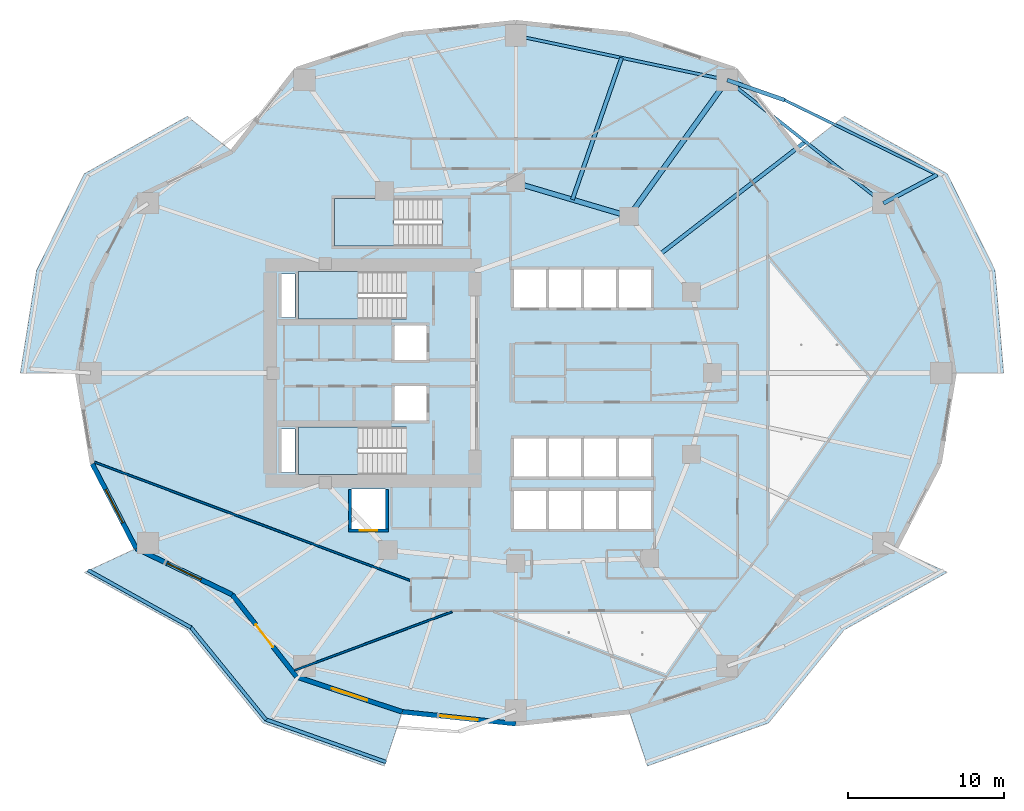
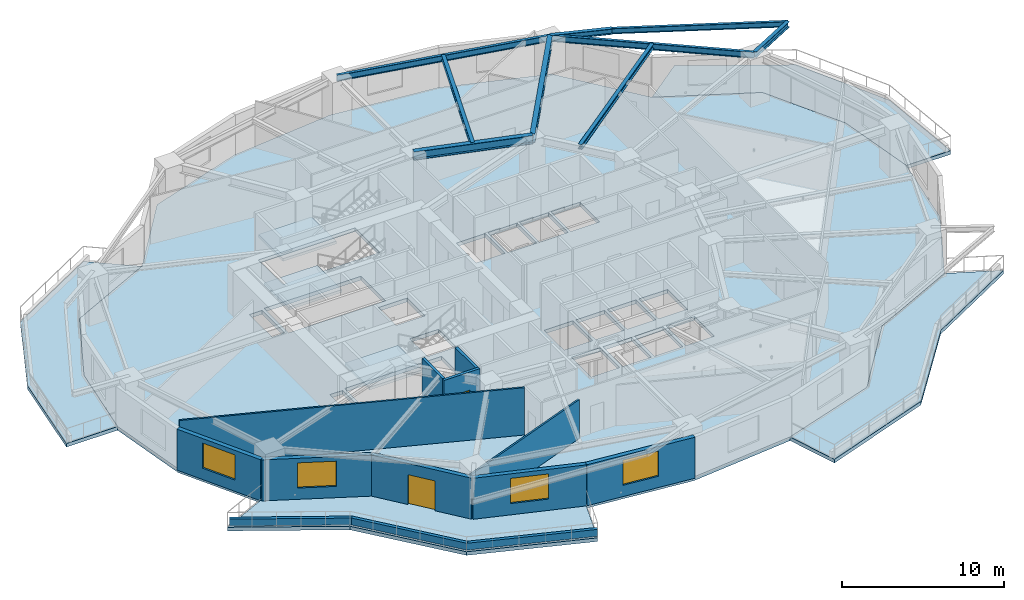
# One storey, part 2 of 16: 13 walls, 9 beams, 8 slabs, 4 windows, 2 doors, 6 openings, 3 elements without a shape of their own.
"""IFC4 building model written with IfcOpenShell, lengths in metres."""

from ifc_helpers import new_model, si_unit, direction, frame, frame_2d, origin, origin_2d, place, context, subcontext, project, spatial, polyline, rectangle, i_section, outline, extrude, material, layer, layer_set, material_profile, profile_set, type_object, element, fill, aggregate, save


model = new_model("IFC4")

# Units and contexts
model_context = context("Model", 3, precision=1e-05, world=origin(), true_north=direction((0.0, 1.0)))
body_context = subcontext(model_context, "Body", "Model", "MODEL_VIEW")
ifc_project = project(units=[si_unit("LENGTHUNIT", "METRE"), si_unit("AREAUNIT", "SQUARE_METRE"), si_unit("VOLUMEUNIT", "CUBIC_METRE"), si_unit("PLANEANGLEUNIT", "RADIAN"), si_unit("MASSUNIT", "GRAM", prefix="KILO")], contexts=[model_context])

# Site, building, storey
site_placement = place(None, origin())
site = spatial("IfcSite", under=ifc_project, at=site_placement, CompositionType="ELEMENT")
building_placement = place(site_placement, origin())
building = spatial("IfcBuilding", under=site, at=building_placement, Name="Kolvaren Gate Tower and Convention Centre", CompositionType="ELEMENT")
storey_placement = place(building_placement, frame((0.0, 0.0, 34.199951171875)))
storey = spatial("IfcBuildingStorey", under=building, at=storey_placement, Name="L07", CompositionType="ELEMENT", Elevation=34.199951171875)

# Beams
ifc_material_1 = material(Name="Structural steel ASTM A992 Grade 345 MPa", Category="steel")
ifc_material_profile_1 = material_profile(ifc_material_1, i_section(OverallWidth=0.260009765625, OverallDepth=0.419921875, WebThickness=0.013427734375, FlangeThickness=0.0224609375, at=origin_2d()), Name="W410X132")
ifc_profile_set_1 = profile_set([ifc_material_profile_1], Name="Structural steel ASTM A992 Grade 345 MPa")
beam_type_1 = type_object("IfcBeamType", Name="STR-BM-W410X132", PredefinedType="BEAM", material=ifc_profile_set_1)
beam_1_placement = place(storey_placement, frame((53.710205078125, 37.8935546875, 3.360595703125), z_axis=(0.882875702385, 0.469606744136, 0.0), x_axis=(-0.469606744136, 0.882875702385, 0.0)))
element("IfcBeam", 1, at=beam_1_placement, inside=storey, type_object=beam_type_1, Name="Tower L08 Planted Balcony Outrigger Cantilever BC-1A", PredefinedType="BEAM", context=body_context, shape_type="SweptSolid", body=[
    extrude(i_section(OverallWidth=0.260009765625, OverallDepth=0.419921875, WebThickness=0.013427734375, FlangeThickness=0.0224609375, at=origin_2d()), origin(), (0.0, 0.0, 1.0), 3.900146484375),
])
beam_2_placement = place(storey_placement, frame((43.690185546875, 45.79638671875, 3.360595703125), z_axis=(0.943988090262, -0.329979522765, 0.0), x_axis=(0.329979522765, 0.943988090262, 0.0)))
element("IfcBeam", 2, at=beam_2_placement, inside=storey, type_object=beam_type_1, Name="Tower L08 Planted Balcony Outrigger Cantilever BC-1B", PredefinedType="BEAM", context=body_context, shape_type="SweptSolid", body=[
    extrude(i_section(OverallWidth=0.260009765625, OverallDepth=0.419921875, WebThickness=0.013427734375, FlangeThickness=0.0224609375, at=origin_2d()), origin(), (0.0, 0.0, 1.0), 3.89990234375),
])
ifc_material_profile_2 = material_profile(ifc_material_1, i_section(OverallWidth=0.327880859375, OverallDepth=0.6279296875, WebThickness=0.0166015625, FlangeThickness=0.027587890625, at=origin_2d()), Name="W610X217")
ifc_profile_set_2 = profile_set([ifc_material_profile_2], Name="Structural steel ASTM A992 Grade 345 MPa")
beam_type_2 = type_object("IfcBeamType", Name="STR-BM-W610X217", PredefinedType="BEAM", material=ifc_profile_set_2)
beam_3_placement = place(storey_placement, frame((37.381591796875, 37.054931640625, 3.256103515625), z_axis=(-0.958980837827, 0.283470902706, 0.0), x_axis=(-0.283470902706, -0.958980837827, 0.0)))
element("IfcBeam", 3, at=beam_3_placement, inside=storey, type_object=beam_type_2, Name="Tower L07 Primary Ring Girder G-03", PredefinedType="BEAM", context=body_context, shape_type="SweptSolid", body=[
    extrude(i_section(OverallWidth=0.327880859375, OverallDepth=0.6279296875, WebThickness=0.0166015625, FlangeThickness=0.027587890625, at=origin_2d()), origin(), (0.0, 0.0, 1.0), 7.56689453125),
])
beam_4_placement = place(storey_placement, frame((37.381591796875, 37.054931640625, 3.256103515625), z_axis=(0.585205244783, 0.81088520857, 0.0), x_axis=(-0.81088520857, 0.585205244783, 0.0)))
element("IfcBeam", 4, at=beam_4_placement, inside=storey, type_object=beam_type_2, Name="Tower L07 Radial Floor Girder RB-03", PredefinedType="BEAM", context=body_context, shape_type="SweptSolid", body=[
    extrude(i_section(OverallWidth=0.327880859375, OverallDepth=0.6279296875, WebThickness=0.0166015625, FlangeThickness=0.027587890625, at=origin_2d()), origin(), (0.0, 0.0, 1.0), 10.780029296875),
])
ifc_material_profile_3 = material_profile(ifc_material_1, i_section(OverallWidth=0.2548828125, OverallDepth=0.35693359375, WebThickness=0.010498046875, FlangeThickness=0.018310546875, at=origin_2d()), Name="W360X101")
ifc_profile_set_3 = profile_set([ifc_material_profile_3], Name="Structural steel ASTM A992 Grade 345 MPa")
beam_type_3 = type_object("IfcBeamType", Name="STR-JS-W360X101", PredefinedType="JOIST", material=ifc_profile_set_3)
beam_5_placement = place(storey_placement, frame((39.3818359375, 34.627197265625, 3.3916015625), z_axis=(0.790577493994, 0.612362005671, 0.0), x_axis=(-0.612362005671, 0.790577493994, 0.0)))
element("IfcBeam", 5, at=beam_5_placement, inside=storey, type_object=beam_type_3, Name="Tower L07 Secondary Composite Floor Joist J-02.1", PredefinedType="JOIST", context=body_context, shape_type="SweptSolid", body=[
    extrude(i_section(OverallWidth=0.2548828125, OverallDepth=0.35693359375, WebThickness=0.010498046875, FlangeThickness=0.018310546875, at=origin_2d()), origin(), (0.0, 0.0, 1.0), 11.786865234375),
])
beam_6_placement = place(storey_placement, frame((33.75341796875, 38.12744140625, 3.3916015625), z_axis=(0.327647050942, 0.944800195813, 0.0), x_axis=(-0.944800195813, 0.327647050942, 0.0)))
element("IfcBeam", 6, at=beam_6_placement, inside=storey, type_object=beam_type_3, Name="Tower L07 Secondary Composite Floor Joist J-03.1", PredefinedType="JOIST", context=body_context, shape_type="SweptSolid", body=[
    extrude(i_section(OverallWidth=0.2548828125, OverallDepth=0.35693359375, WebThickness=0.010498046875, FlangeThickness=0.018310546875, at=origin_2d()), origin(), (0.0, 0.0, 1.0), 9.627197265625),
])
ifc_material_profile_4 = material_profile(ifc_material_1, i_section(OverallWidth=0.180908203125, OverallDepth=0.4169921875, WebThickness=0.010986328125, FlangeThickness=0.018310546875, at=origin_2d()), Name="W410X85")
ifc_profile_set_4 = profile_set([ifc_material_profile_4], Name="Structural steel ASTM A992 Grade 345 MPa")
beam_type_4 = type_object("IfcBeamType", Name="STR-SP-W410X85", PredefinedType="SPANDREL", material=ifc_profile_set_4)
beam_7_placement = place(storey_placement, frame((57.153564453125, 39.72509765625, 3.362060546875), z_axis=(-0.898307480686, 0.43936735216, 0.0), x_axis=(-0.43936735216, -0.898307480686, 0.0)))
element("IfcBeam", 7, at=beam_7_placement, inside=storey, type_object=beam_type_4, Name="Tower L08 Planted Balcony Header Tie Beam BT-1", PredefinedType="SPANDREL", context=body_context, shape_type="SweptSolid", body=[
    extrude(i_section(OverallWidth=0.180908203125, OverallDepth=0.4169921875, WebThickness=0.010986328125, FlangeThickness=0.018310546875, at=origin_2d()), origin(), (0.0, 0.0, 1.0), 10.889404296875),
])
ifc_material_profile_5 = material_profile(ifc_material_1, i_section(OverallWidth=0.194091796875, OverallDepth=0.468994140625, WebThickness=0.0126953125, FlangeThickness=0.0205078125, at=origin_2d()), Name="W460X106")
ifc_profile_set_5 = profile_set([ifc_material_profile_5], Name="Structural steel ASTM A992 Grade 345 MPa")
beam_type_5 = type_object("IfcBeamType", Name="STR-SP-W460X106", PredefinedType="SPANDREL", material=ifc_profile_set_5)
beam_8_placement = place(storey_placement, frame((53.710205078125, 37.8935546875, 3.33544921875), z_axis=(-0.785176498861, 0.619272044933, 0.0), x_axis=(-0.619272044933, -0.785176498861, 0.0)))
element("IfcBeam", 8, at=beam_8_placement, inside=storey, type_object=beam_type_5, Name="Tower L07 Perimeter Spandrel Beam SP-02", PredefinedType="SPANDREL", context=body_context, shape_type="SweptSolid", body=[
    extrude(i_section(OverallWidth=0.194091796875, OverallDepth=0.468994140625, WebThickness=0.0126953125, FlangeThickness=0.0205078125, at=origin_2d()), origin(), (0.0, 0.0, 1.0), 12.761474609375),
])
beam_9_placement = place(storey_placement, frame((43.690185546875, 45.79638671875, 3.33544921875), z_axis=(-0.978583407863, 0.205850707685, 0.0), x_axis=(-0.205850707685, -0.978583407863, 0.0)))
element("IfcBeam", 9, at=beam_9_placement, inside=storey, type_object=beam_type_5, Name="Tower L07 Perimeter Spandrel Beam SP-03", PredefinedType="SPANDREL", context=body_context, shape_type="SweptSolid", body=[
    extrude(i_section(OverallWidth=0.194091796875, OverallDepth=0.468994140625, WebThickness=0.0126953125, FlangeThickness=0.0205078125, at=origin_2d()), origin(), (0.0, 0.0, 1.0), 13.862060546875),
])

# Slabs
ifc_material_2 = material(Name="Concrete C50/60", Category="concrete")
ifc_layer_1 = layer(ifc_material_2, 0.27001953125)
ifc_layer_set_1 = layer_set([ifc_layer_1], Name="Concrete C50/60")
slab_type_1 = type_object("IfcSlabType", Name="STR-SL-BALC-270", PredefinedType="FLOOR", material=ifc_layer_set_1)
slab_1_placement = place(storey_placement, frame((0.0, 0.0, -0.27001953125)))
element("IfcSlab", 10, at=slab_1_placement, inside=storey, type_object=slab_type_1, Name="Tower L07 Planted Balcony Terrace Slab 1 (East)", PredefinedType="FLOOR", context=body_context, shape_type="SweptSolid", body=[
    extrude(outline(polyline([(58.25, 27.0), (57.291748046875, 32.823486328125), (54.48193359375, 38.25), (48.315185546875, 41.212890625), (51.19921875, 43.46630859375), (57.8046875, 39.78466796875), (60.870361328125, 33.590576171875), (61.419921875, 27.0), (58.25, 27.0)])), origin(), (0.0, 0.0, 1.0), 0.27001953125),
])
slab_2_placement = place(storey_placement, frame((0.0, 0.0, -0.27001953125)))
element("IfcSlab", 11, at=slab_2_placement, inside=storey, type_object=slab_type_1, Name="Tower L07 Planted Balcony Terrace Slab 2 (West)", PredefinedType="FLOOR", context=body_context, shape_type="SweptSolid", body=[
    extrude(outline(polyline([(11.934814453125, 41.212890625), (5.76806640625, 38.25), (2.958251953125, 32.823486328125), (2.0, 27.0), (-1.659912109375, 27.0), (-0.620361328125, 33.590576171875), (2.4453125, 39.78466796875), (9.05078125, 43.46630859375), (11.934814453125, 41.212890625)])), origin(), (0.0, 0.0, 1.0), 0.27001953125),
])
slab_3_placement = place(storey_placement, frame((0.0, 0.0, -0.27001953125)))
element("IfcSlab", 12, at=slab_3_placement, inside=storey, type_object=slab_type_1, Name="Tower L07 Planted Balcony Terrace Slab 3 (South)", PredefinedType="FLOOR", context=body_context, shape_type="SweptSolid", body=[
    extrude(outline(polyline([(5.76806640625, 15.75), (11.934814453125, 12.787109375), (16.0625, 7.514404296875), (22.845703125, 5.2666015625), (21.683349609375, 1.796142578125), (13.920654296875, 4.546630859375), (9.05078125, 10.53369140625), (2.4453125, 14.21533203125), (5.76806640625, 15.75)])), origin(), (0.0, 0.0, 1.0), 0.27001953125),
])
slab_4_placement = place(storey_placement, frame((0.0, 0.0, -0.27001953125)))
element("IfcSlab", 13, at=slab_4_placement, inside=storey, type_object=slab_type_1, Name="Tower L07 Planted Balcony Terrace Slab 4 (South)", PredefinedType="FLOOR", context=body_context, shape_type="SweptSolid", body=[
    extrude(outline(polyline([(37.404296875, 5.2666015625), (44.1875, 7.514404296875), (48.315185546875, 12.787109375), (54.48193359375, 15.75), (57.8046875, 14.21533203125), (51.19921875, 10.53369140625), (46.329345703125, 4.546630859375), (38.566650390625, 1.796142578125), (37.404296875, 5.2666015625)])), origin(), (0.0, 0.0, 1.0), 0.27001953125),
])
ifc_layer_2 = layer(ifc_material_2, 0.280029296875)
ifc_layer_set_2 = layer_set([ifc_layer_2], Name="Concrete C50/60")
slab_type_2 = type_object("IfcSlabType", Name="STR-SL-FLR-280", PredefinedType="FLOOR", material=ifc_layer_set_2)
slab_5_placement = place(storey_placement, frame((0.0, 0.0, -0.280029296875)))
element("IfcSlab", 14, at=slab_5_placement, inside=storey, type_object=slab_type_2, Name="Tower L07 Structural Floor Slab", PredefinedType="FLOOR", context=body_context, shape_type="SweptSolid", body=[
    extrude(outline(polyline([(58.25, 27.0), (57.291748046875, 32.823486328125), (54.48193359375, 38.25), (48.315185546875, 41.212890625), (44.1875, 46.485595703125), (37.404296875, 48.7333984375), (30.125, 49.5), (22.845703125, 48.7333984375), (16.0625, 46.485595703125), (11.934814453125, 41.212890625), (5.76806640625, 38.25), (2.958251953125, 32.823486328125), (2.0, 27.0), (2.958251953125, 21.176513671875), (5.76806640625, 15.75), (11.934814453125, 12.787109375), (16.0625, 7.514404296875), (22.845703125, 5.2666015625), (30.125, 4.5), (37.404296875, 5.2666015625), (44.1875, 7.514404296875), (48.315185546875, 12.787109375), (54.48193359375, 15.75), (57.291748046875, 21.176513671875), (58.25, 27.0)]), holes=[polyline([(36.75, 33.64990234375), (38.800048828125, 33.64990234375), (38.800048828125, 31.199951171875), (36.75, 31.199951171875), (36.75, 33.64990234375)]), polyline([(36.75, 20.35009765625), (36.75, 22.800048828125), (38.800048828125, 22.800048828125), (38.800048828125, 20.35009765625), (36.75, 20.35009765625)]), polyline([(36.75, 17.0), (36.75, 19.449951171875), (38.800048828125, 19.449951171875), (38.800048828125, 17.0), (36.75, 17.0)]), polyline([(34.5, 33.64990234375), (36.550048828125, 33.64990234375), (36.550048828125, 31.199951171875), (34.5, 31.199951171875), (34.5, 33.64990234375)]), polyline([(34.5, 22.800048828125), (36.550048828125, 22.800048828125), (36.550048828125, 20.35009765625), (34.5, 20.35009765625), (34.5, 22.800048828125)]), polyline([(34.5, 17.0), (34.5, 19.449951171875), (36.550048828125, 19.449951171875), (36.550048828125, 17.0), (34.5, 17.0)]), polyline([(32.25, 31.199951171875), (32.25, 33.64990234375), (34.300048828125, 33.64990234375), (34.300048828125, 31.199951171875), (32.25, 31.199951171875)]), polyline([(32.25, 22.800048828125), (34.300048828125, 22.800048828125), (34.300048828125, 20.35009765625), (32.25, 20.35009765625), (32.25, 22.800048828125)]), polyline([(32.25, 17.0), (32.25, 19.449951171875), (34.300048828125, 19.449951171875), (34.300048828125, 17.0), (32.25, 17.0)]), polyline([(30.0, 31.199951171875), (30.0, 33.64990234375), (32.050048828125, 33.64990234375), (32.050048828125, 31.199951171875), (30.0, 31.199951171875)]), polyline([(30.0, 20.35009765625), (30.0, 22.800048828125), (32.050048828125, 22.800048828125), (32.050048828125, 20.35009765625), (30.0, 20.35009765625)]), polyline([(30.0, 17.0), (30.0, 19.449951171875), (32.050048828125, 19.449951171875), (32.050048828125, 17.0), (30.0, 17.0)]), polyline([(25.39990234375, 35.159912109375), (18.5, 35.159912109375), (18.5, 38.199951171875), (25.39990234375, 38.199951171875), (25.39990234375, 35.159912109375)]), polyline([(22.35009765625, 27.840087890625), (22.35009765625, 30.0400390625), (24.39990234375, 30.0400390625), (24.39990234375, 27.840087890625), (22.35009765625, 27.840087890625)]), polyline([(22.35009765625, 23.9599609375), (22.35009765625, 26.159912109375), (24.39990234375, 26.159912109375), (24.39990234375, 23.9599609375), (22.35009765625, 23.9599609375)]), polyline([(23.10009765625, 30.4599609375), (16.199951171875, 30.4599609375), (16.199951171875, 33.5), (23.10009765625, 33.5), (23.10009765625, 30.4599609375)]), polyline([(23.10009765625, 20.5), (16.199951171875, 20.5), (16.199951171875, 23.5400390625), (23.10009765625, 23.5400390625), (23.10009765625, 20.5)]), polyline([(19.60009765625, 17.0), (19.60009765625, 19.550048828125), (21.75, 19.550048828125), (21.75, 17.0), (19.60009765625, 17.0)]), polyline([(15.080078125, 23.419921875), (15.969970703125, 23.419921875), (15.969970703125, 20.6298828125), (15.080078125, 20.6298828125), (15.080078125, 23.419921875)]), polyline([(15.080078125, 30.580078125), (15.080078125, 33.3701171875), (15.969970703125, 33.3701171875), (15.969970703125, 30.580078125), (15.080078125, 30.580078125)])]), origin(), (0.0, 0.0, 1.0), 0.280029296875),
])

# Stair, slab
stair_type = type_object("IfcStairType", Name="STR-STAIR-CORE", PredefinedType="HALF_TURN_STAIR", material=ifc_material_2)
stair_1_placement = place(storey_placement, origin())
stair_1 = element("IfcStair", 15, at=stair_1_placement, inside=storey, type_object=stair_type, Name="L07 Tower North Exit Stair ST-T1", PredefinedType="HALF_TURN_STAIR")
ifc_layer_3 = layer(ifc_material_2, 0.199951171875)
ifc_layer_set_3 = layer_set([ifc_layer_3], Name="Concrete C50/60")
slab_type_3 = type_object("IfcSlabType", Name="STR-SL-LAND-200", PredefinedType="LANDING", material=ifc_layer_set_3)
slab_6_placement = place(storey_placement, frame((0.0, 0.0, 1.72509765625)))
slab_6 = element("IfcSlab", 16, at=slab_6_placement, type_object=slab_type_3, Name="ST-T1 landing 1", PredefinedType="LANDING", context=body_context, shape_type="SweptSolid", body=[
    extrude(outline(polyline([(20.0, 33.5), (16.199951171875, 33.5), (16.199951171875, 30.4599609375), (20.0, 30.4599609375), (20.0, 33.5)])), origin(), (0.0, 0.0, 1.0), 0.199951171875),
])
aggregate(stair_1, [slab_6])

stair_2_placement = place(storey_placement, origin())
stair_2 = element("IfcStair", 17, at=stair_2_placement, inside=storey, type_object=stair_type, Name="L07 Tower South Exit Stair ST-T2", PredefinedType="HALF_TURN_STAIR")
slab_7_placement = place(storey_placement, frame((0.0, 0.0, 1.72509765625)))
slab_7 = element("IfcSlab", 18, at=slab_7_placement, type_object=slab_type_3, Name="ST-T2 landing 1", PredefinedType="LANDING", context=body_context, shape_type="SweptSolid", body=[
    extrude(outline(polyline([(20.0, 23.5400390625), (16.199951171875, 23.5400390625), (16.199951171875, 20.5), (20.0, 20.5), (20.0, 23.5400390625)])), origin(), (0.0, 0.0, 1.0), 0.199951171875),
])
aggregate(stair_2, [slab_7])

stair_3_placement = place(storey_placement, origin())
stair_3 = element("IfcStair", 19, at=stair_3_placement, inside=storey, type_object=stair_type, Name="L07 Tower Mid-Zone Exit Stair ST-T3", PredefinedType="HALF_TURN_STAIR")
slab_8_placement = place(storey_placement, frame((0.0, 0.0, 1.72509765625)))
slab_8 = element("IfcSlab", 20, at=slab_8_placement, type_object=slab_type_3, Name="ST-T3 landing 1", PredefinedType="LANDING", context=body_context, shape_type="SweptSolid", body=[
    extrude(outline(polyline([(22.300048828125, 38.199951171875), (18.5, 38.199951171875), (18.5, 35.159912109375), (22.300048828125, 35.159912109375), (22.300048828125, 38.199951171875)])), origin(), (0.0, 0.0, 1.0), 0.199951171875),
])
aggregate(stair_3, [slab_8])

# Walls
ifc_material_3 = material(Name="Fire-Rated Acoustic Gypsum Stud Partition", Category="gypsum")
ifc_layer_4 = layer(ifc_material_3, 0.1201171875)
ifc_layer_set_4 = layer_set([ifc_layer_4], Name="Fire-Rated Acoustic Gypsum Stud Partition")
wall_type_1 = type_object("IfcWallType", Name="ARCH-WL-PART-120", PredefinedType="PARTITIONING", material=ifc_layer_set_4)
wall_1_placement = place(storey_placement, frame((3.09375, 21.289794921875, 0.0), z_axis=(0.0, 0.0, 1.0), x_axis=(0.936344026666, -0.35108384145, 0.0)))
element("IfcWall", 21, at=wall_1_placement, inside=storey, type_object=wall_type_1, Name="Interior Partition WL-L07-INT-054", PredefinedType="PARTITIONING", context=body_context, shape_type="SweptSolid", body=[
    extrude(rectangle(XDim=21.620361328125, YDim=0.1201171875, at=frame_2d((10.81005859375, 0.0))), origin(), (0.0, 0.0, 1.0), 3.570068359375),
])
wall_2_placement = place(storey_placement, frame((15.932373046875, 7.92724609375, 0.0), z_axis=(0.0, 0.0, 1.0), x_axis=(0.937141242974, 0.348950269689, 0.0)))
element("IfcWall", 22, at=wall_2_placement, inside=storey, type_object=wall_type_1, Name="Interior Partition WL-L07-INT-056", PredefinedType="PARTITIONING", context=body_context, shape_type="SweptSolid", body=[
    extrude(rectangle(XDim=10.77734375, YDim=0.1201171875, at=frame_2d((5.388671875, 0.0))), origin(), (0.0, 0.0, 1.0), 2.93408203125),
])
ifc_material_4 = material(Name="Piedmont Cream Honed Limestone Cladding", Category="masonry")
ifc_layer_5 = layer(ifc_material_4, 0.219970703125)
ifc_layer_set_5 = layer_set([ifc_layer_5], Name="Piedmont Cream Honed Limestone Cladding")
wall_type_2 = type_object("IfcWallType", Name="ARCH-WL-PLANTER-220", PredefinedType="PARAPET", material=ifc_layer_set_5)
wall_3_placement = place(storey_placement, frame((2.685302734375, 14.359375, 0.0), z_axis=(0.0, 0.0, 1.0), x_axis=(0.873500119739, -0.48682393205, 0.0)))
element("IfcWall", 23, at=wall_3_placement, inside=storey, type_object=wall_type_2, Name="Vertical-Forest Balcony Stone Planter Kerb PK-L07-3.1", PredefinedType="PARAPET", context=body_context, shape_type="SweptSolid", body=[
    extrude(rectangle(XDim=7.56201171875, YDim=0.219970703125, at=frame_2d((3.781005859375, 0.0))), origin(), (0.0, 0.0, 1.0), 0.52001953125),
])
wall_4_placement = place(storey_placement, frame((9.244384765625, 10.736083984375, 0.0), z_axis=(0.0, 0.0, 1.0), x_axis=(0.630997450658, -0.775784903993, 0.0)))
element("IfcWall", 24, at=wall_4_placement, inside=storey, type_object=wall_type_2, Name="Vertical-Forest Balcony Stone Planter Kerb PK-L07-3.2", PredefinedType="PARAPET", context=body_context, shape_type="SweptSolid", body=[
    extrude(rectangle(XDim=7.7177734375, YDim=0.219970703125, at=frame_2d((3.85888671875, 0.0))), origin(), (0.0, 0.0, 1.0), 0.52001953125),
])
wall_5_placement = place(storey_placement, frame((14.04931640625, 4.79541015625, 0.0), z_axis=(0.0, 0.0, 1.0), x_axis=(0.942581348797, -0.333976647237, 0.0)))
element("IfcWall", 25, at=wall_5_placement, inside=storey, type_object=wall_type_2, Name="Vertical-Forest Balcony Stone Planter Kerb PK-L07-3.3", PredefinedType="PARAPET", context=body_context, shape_type="SweptSolid", body=[
    extrude(rectangle(XDim=8.235595703125, YDim=0.219970703125, at=frame_2d((4.11767578125, 0.0))), origin(), (0.0, 0.0, 1.0), 0.52001953125),
])

# Wall, opening, door
ifc_material_5 = material(Name="Autoclaved Aerated Masonry Blockwork Class 4 (4.0 MPa)", Category="masonry")
ifc_layer_6 = layer(ifc_material_5, 0.199951171875)
ifc_layer_set_6 = layer_set([ifc_layer_6], Name="Autoclaved Aerated Masonry Blockwork Class 4 (4.0 MPa)")
wall_type_3 = type_object("IfcWallType", Name="ARCH-WL-SHAFT-200", PredefinedType="SOLIDWALL", material=ifc_layer_set_6)
wall_6_placement = place(storey_placement, frame((19.39990234375, 16.89990234375, 0.0), z_axis=(0.0, 0.0, 1.0), x_axis=(1.0, 0.0, 0.0)))
wall_6 = element("IfcWall", 26, at=wall_6_placement, inside=storey, type_object=wall_type_3, Name="Elevator SV-01 L07 Fire Shaft Wall S", PredefinedType="SOLIDWALL", context=body_context, shape_type="SweptSolid", body=[
    extrude(rectangle(XDim=2.550048828125, YDim=0.199951171875, at=frame_2d((1.27490234375, 0.0))), origin(), (0.0, 0.0, 1.0), 3.570068359375),
])
opening_1_placement = place(wall_6_placement, frame((0.72509765625, 0.0, 0.0)))
opening_1 = element("IfcOpeningElement", 27, at=opening_1_placement, cuts=wall_6, Name="Opening LD", PredefinedType="OPENING", context=body_context, shape_type="SweptSolid", body=[
    extrude(rectangle(XDim=1.10009765625, YDim=2.199951171875, at=frame_2d((0.550048828125, 1.10009765625))), frame((0.0, 0.10986328125, 0.0), z_axis=(0.0, -1.0, 0.0), x_axis=(1.0, 0.0, 0.0)), (0.0, 0.0, 1.0), 0.219970703125),
])
ifc_material_6 = material(Name="Brushed Stainless Steel Grade 316L", Category="steel")
door_type_1 = type_object("IfcDoorType", Name="ARCH-DR-LIFT-1100", OperationType="SLIDING_TO_LEFT", PredefinedType="DOOR", material=ifc_material_6)
door_1_placement = place(opening_1_placement, origin())
door_1 = element("IfcDoor", 28, at=door_1_placement, inside=storey, type_object=door_type_1, Name="Elevator SV-01 L07 Sliding Landing Door", OperationType="SLIDING_TO_LEFT", OverallHeight=2.199951171875, OverallWidth=1.10009765625, PredefinedType="DOOR", context=body_context, shape_type="SweptSolid", body=[
    extrude(rectangle(XDim=1.10009765625, YDim=2.199951171875, at=frame_2d((0.550048828125, 1.10009765625))), frame((0.0, 0.02490234375, 0.0), z_axis=(0.0, -1.0, 0.0), x_axis=(1.0, 0.0, 0.0)), (0.0, 0.0, 1.0), 0.050048828125),
])
fill(opening_1, door_1)

# Walls
for number, where, z_axis, x_axis, name in (
    (29, (19.5, 17.010009765625, 0.0), (0.0, 0.0, 1.0), (0.0, 1.0, 0.0), "Elevator SV-01 L07 Fire Shaft Wall W"),
    (30, (21.85009765625, 17.010009765625, 0.0), (0.0, 0.0, 1.0), (0.0, 1.0, 0.0), "Elevator SV-01 L07 Fire Shaft Wall E"),
):
    element("IfcWall", number, at=place(storey_placement, frame(where, z_axis=z_axis, x_axis=x_axis)), inside=storey, type_object=wall_type_3, Name=name, PredefinedType="SOLIDWALL", context=body_context, shape_type="SweptSolid", body=[
        extrude(rectangle(XDim=2.530029296875, YDim=0.199951171875, at=frame_2d((1.26513671875, 0.0))), origin(), (0.0, 0.0, 1.0), 3.570068359375),
    ])

# Wall, opening, window
ifc_layer_7 = layer(ifc_material_4, 0.300048828125)
ifc_layer_set_7 = layer_set([ifc_layer_7], Name="Piedmont Cream Honed Limestone Cladding")
wall_type_4 = type_object("IfcWallType", Name="ARCH-WL-STONE-300", PredefinedType="SOLIDWALL", material=ifc_layer_set_7)
wall_7_placement = place(storey_placement, frame((2.958251953125, 21.176513671875, 0.0), z_axis=(0.0, 0.0, 1.0), x_axis=(0.459809804413, -0.88801742312, 0.0)))
wall_7 = element("IfcWall", 31, at=wall_7_placement, inside=storey, type_object=wall_type_4, Name="Tower L07 Honed Stone Spandrel Wall EW-13", PredefinedType="SOLIDWALL", context=body_context, shape_type="SweptSolid", body=[
    extrude(rectangle(XDim=6.11083984375, YDim=0.300048828125, at=frame_2d((3.055419921875, 0.0))), origin(), (0.0, 0.0, 1.0), 3.093017578125),
])
opening_2_placement = place(wall_7_placement, frame((1.85498046875, 0.0, 0.85009765625)))
opening_2 = element("IfcOpeningElement", 32, at=opening_2_placement, cuts=wall_7, Name="Opening W-01", PredefinedType="OPENING", context=body_context, shape_type="SweptSolid", body=[
    extrude(rectangle(XDim=2.39990234375, YDim=1.89990234375, at=frame_2d((1.199951171875, 0.949951171875))), frame((0.0, 0.159912109375, 0.0), z_axis=(0.0, -1.0, 0.0), x_axis=(1.0, 0.0, 0.0)), (0.0, 0.0, 1.0), 0.320068359375),
])
ifc_material_7 = material(Name="Low-E Triple Insulated Glazing Unit 44 mm", Category="glass")
window_type = type_object("IfcWindowType", Name="ARCH-WN-OFF-2400", PartitioningType="SINGLE_PANEL", PredefinedType="WINDOW", material=ifc_material_7)
window_1_placement = place(opening_2_placement, origin())
window_1 = element("IfcWindow", 33, at=window_1_placement, inside=storey, type_object=window_type, Name="Tower L07 Punched Stone Facade Window W-13", OverallHeight=1.89990234375, OverallWidth=2.39990234375, PartitioningType="SINGLE_PANEL", PredefinedType="WINDOW", context=body_context, shape_type="SweptSolid", body=[
    extrude(rectangle(XDim=2.39990234375, YDim=1.89990234375, at=frame_2d((1.199951171875, 0.949951171875))), frame((0.0, 0.030029296875, 0.0), z_axis=(0.0, -1.0, 0.0), x_axis=(1.0, 0.0, 0.0)), (0.0, 0.0, 1.0), 0.06005859375),
])
fill(opening_2, window_1)

wall_8_placement = place(storey_placement, frame((5.76806640625, 15.75, 0.0), z_axis=(0.0, 0.0, 1.0), x_axis=(0.901360393999, -0.433069786673, 0.0)))
wall_8 = element("IfcWall", 34, at=wall_8_placement, inside=storey, type_object=wall_type_4, Name="Tower L07 Honed Stone Spandrel Wall EW-14", PredefinedType="SOLIDWALL", context=body_context, shape_type="SweptSolid", body=[
    extrude(rectangle(XDim=6.841552734375, YDim=0.300048828125, at=frame_2d((3.4208984375, 0.0))), origin(), (0.0, 0.0, 1.0), 3.093017578125),
])
opening_3_placement = place(wall_8_placement, frame((2.220947265625, 0.0, 0.85009765625)))
opening_3 = element("IfcOpeningElement", 35, at=opening_3_placement, cuts=wall_8, Name="Opening W-01", PredefinedType="OPENING", context=body_context, shape_type="SweptSolid", body=[
    extrude(rectangle(XDim=2.39990234375, YDim=1.89990234375, at=frame_2d((1.199951171875, 0.949951171875))), frame((0.0, 0.159912109375, 0.0), z_axis=(0.0, -1.0, 0.0), x_axis=(1.0, 0.0, 0.0)), (0.0, 0.0, 1.0), 0.320068359375),
])
window_2_placement = place(opening_3_placement, origin())
window_2 = element("IfcWindow", 36, at=window_2_placement, inside=storey, type_object=window_type, Name="Tower L07 Punched Stone Facade Window W-14", OverallHeight=1.89990234375, OverallWidth=2.39990234375, PartitioningType="SINGLE_PANEL", PredefinedType="WINDOW", context=body_context, shape_type="SweptSolid", body=[
    extrude(rectangle(XDim=2.39990234375, YDim=1.89990234375, at=frame_2d((1.199951171875, 0.949951171875))), frame((0.0, 0.030029296875, 0.0), z_axis=(0.0, -1.0, 0.0), x_axis=(1.0, 0.0, 0.0)), (0.0, 0.0, 1.0), 0.06005859375),
])
fill(opening_3, window_2)

# Wall, opening, door
wall_9_placement = place(storey_placement, frame((11.934814453125, 12.787109375, 0.0), z_axis=(0.0, 0.0, 1.0), x_axis=(0.616421309777, -0.787416515482, 0.0)))
wall_9 = element("IfcWall", 37, at=wall_9_placement, inside=storey, type_object=wall_type_4, Name="Tower L07 Honed Stone Spandrel Wall EW-15", PredefinedType="SOLIDWALL", context=body_context, shape_type="SweptSolid", body=[
    extrude(rectangle(XDim=6.6962890625, YDim=0.300048828125, at=frame_2d((3.34814453125, 0.0))), origin(), (0.0, 0.0, 1.0), 3.093017578125),
])
opening_4_placement = place(wall_9_placement, frame((2.447998046875, 0.0, 0.0)))
opening_4 = element("IfcOpeningElement", 38, at=opening_4_placement, cuts=wall_9, Name="Opening DB-01", PredefinedType="OPENING", context=body_context, shape_type="SweptSolid", body=[
    extrude(rectangle(XDim=1.800048828125, YDim=2.25, at=frame_2d((0.89990234375, 1.125))), frame((0.0, 0.159912109375, 0.0), z_axis=(0.0, -1.0, 0.0), x_axis=(1.0, 0.0, 0.0)), (0.0, 0.0, 1.0), 0.320068359375),
])
ifc_material_8 = material(Name="Anodized Architectural Aluminium Alloy 6063-T6", Category="aluminium")
door_type_2 = type_object("IfcDoorType", Name="ARCH-DR-BALC-1800", OperationType="SLIDING_TO_LEFT", PredefinedType="DOOR", material=ifc_material_8)
door_2_placement = place(opening_4_placement, frame((1.800048828125, 0.0, 0.0), z_axis=(0.0, 0.0, 1.0), x_axis=(-1.0, 0.0, 0.0)))
door_2 = element("IfcDoor", 39, at=door_2_placement, inside=storey, type_object=door_type_2, Name="Planted Sky Terrace Access Door DB-L07-15", OperationType="SLIDING_TO_LEFT", OverallHeight=2.25, OverallWidth=1.800048828125, PredefinedType="DOOR", context=body_context, shape_type="SweptSolid", body=[
    extrude(rectangle(XDim=1.800048828125, YDim=2.25, at=frame_2d((0.89990234375, 1.125))), frame((0.0, 0.02490234375, 0.0), z_axis=(0.0, -1.0, 0.0), x_axis=(1.0, 0.0, 0.0)), (0.0, 0.0, 1.0), 0.050048828125),
])
fill(opening_4, door_2)

# Wall, opening, window
wall_10_placement = place(storey_placement, frame((16.0625, 7.514404296875, 0.0), z_axis=(0.0, 0.0, 1.0), x_axis=(0.949238715533, -0.31455661006, 0.0)))
wall_10 = element("IfcWall", 40, at=wall_10_placement, inside=storey, type_object=wall_type_4, Name="Tower L07 Honed Stone Spandrel Wall EW-16", PredefinedType="SOLIDWALL", context=body_context, shape_type="SweptSolid", body=[
    extrude(rectangle(XDim=7.14599609375, YDim=0.300048828125, at=frame_2d((3.572998046875, 0.0))), origin(), (0.0, 0.0, 1.0), 3.093017578125),
])
opening_5_placement = place(wall_10_placement, frame((2.373046875, 0.0, 0.85009765625)))
opening_5 = element("IfcOpeningElement", 41, at=opening_5_placement, cuts=wall_10, Name="Opening W-01", PredefinedType="OPENING", context=body_context, shape_type="SweptSolid", body=[
    extrude(rectangle(XDim=2.39990234375, YDim=1.89990234375, at=frame_2d((1.199951171875, 0.949951171875))), frame((0.0, 0.159912109375, 0.0), z_axis=(0.0, -1.0, 0.0), x_axis=(1.0, 0.0, 0.0)), (0.0, 0.0, 1.0), 0.320068359375),
])
window_3_placement = place(opening_5_placement, origin())
window_3 = element("IfcWindow", 42, at=window_3_placement, inside=storey, type_object=window_type, Name="Tower L07 Punched Stone Facade Window W-16", OverallHeight=1.89990234375, OverallWidth=2.39990234375, PartitioningType="SINGLE_PANEL", PredefinedType="WINDOW", context=body_context, shape_type="SweptSolid", body=[
    extrude(rectangle(XDim=2.39990234375, YDim=1.89990234375, at=frame_2d((1.199951171875, 0.949951171875))), frame((0.0, 0.030029296875, 0.0), z_axis=(0.0, -1.0, 0.0), x_axis=(1.0, 0.0, 0.0)), (0.0, 0.0, 1.0), 0.06005859375),
])
fill(opening_5, window_3)

wall_11_placement = place(storey_placement, frame((22.845703125, 5.2666015625, 0.0), z_axis=(0.0, 0.0, 1.0), x_axis=(0.994500334317, -0.104733399844, 0.0)))
wall_11 = element("IfcWall", 43, at=wall_11_placement, inside=storey, type_object=wall_type_4, Name="Tower L07 Honed Stone Spandrel Wall EW-17", PredefinedType="SOLIDWALL", context=body_context, shape_type="SweptSolid", body=[
    extrude(rectangle(XDim=7.319580078125, YDim=0.300048828125, at=frame_2d((3.65966796875, 0.0))), origin(), (0.0, 0.0, 1.0), 3.093017578125),
])
opening_6_placement = place(wall_11_placement, frame((2.4599609375, 0.0, 0.85009765625)))
opening_6 = element("IfcOpeningElement", 44, at=opening_6_placement, cuts=wall_11, Name="Opening W-01", PredefinedType="OPENING", context=body_context, shape_type="SweptSolid", body=[
    extrude(rectangle(XDim=2.39990234375, YDim=1.89990234375, at=frame_2d((1.199951171875, 0.949951171875))), frame((0.0, 0.159912109375, 0.0), z_axis=(0.0, -1.0, 0.0), x_axis=(1.0, 0.0, 0.0)), (0.0, 0.0, 1.0), 0.320068359375),
])
window_4_placement = place(opening_6_placement, origin())
window_4 = element("IfcWindow", 45, at=window_4_placement, inside=storey, type_object=window_type, Name="Tower L07 Punched Stone Facade Window W-17", OverallHeight=1.89990234375, OverallWidth=2.39990234375, PartitioningType="SINGLE_PANEL", PredefinedType="WINDOW", context=body_context, shape_type="SweptSolid", body=[
    extrude(rectangle(XDim=2.39990234375, YDim=1.89990234375, at=frame_2d((1.199951171875, 0.949951171875))), frame((0.0, 0.030029296875, 0.0), z_axis=(0.0, -1.0, 0.0), x_axis=(1.0, 0.0, 0.0)), (0.0, 0.0, 1.0), 0.06005859375),
])
fill(opening_6, window_4)

save(model, "model.ifc")
